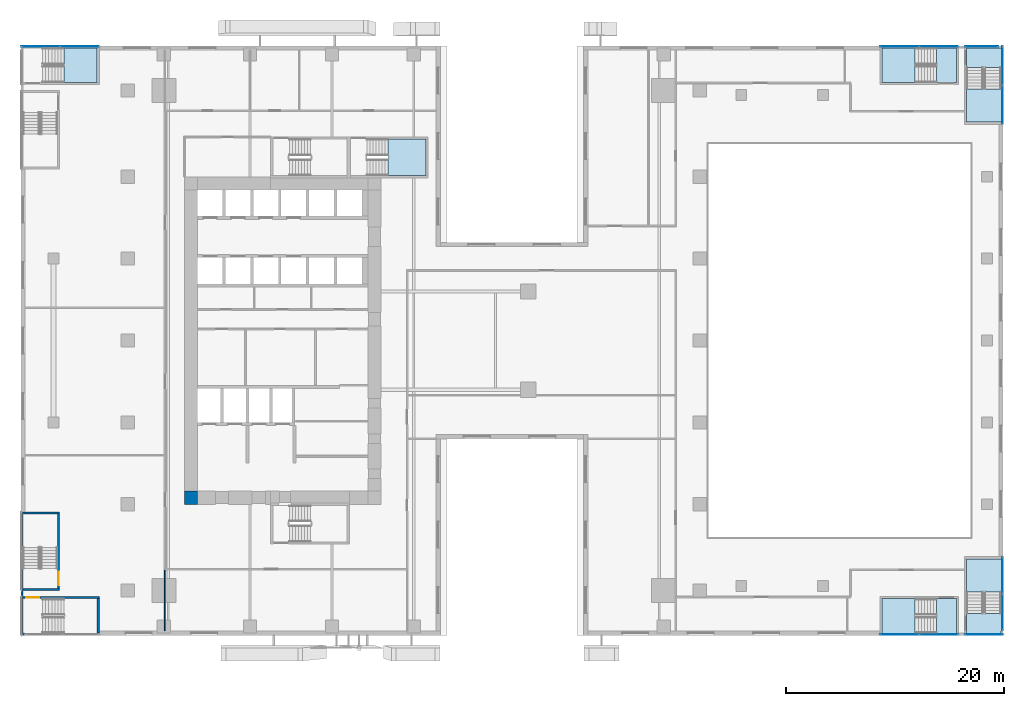
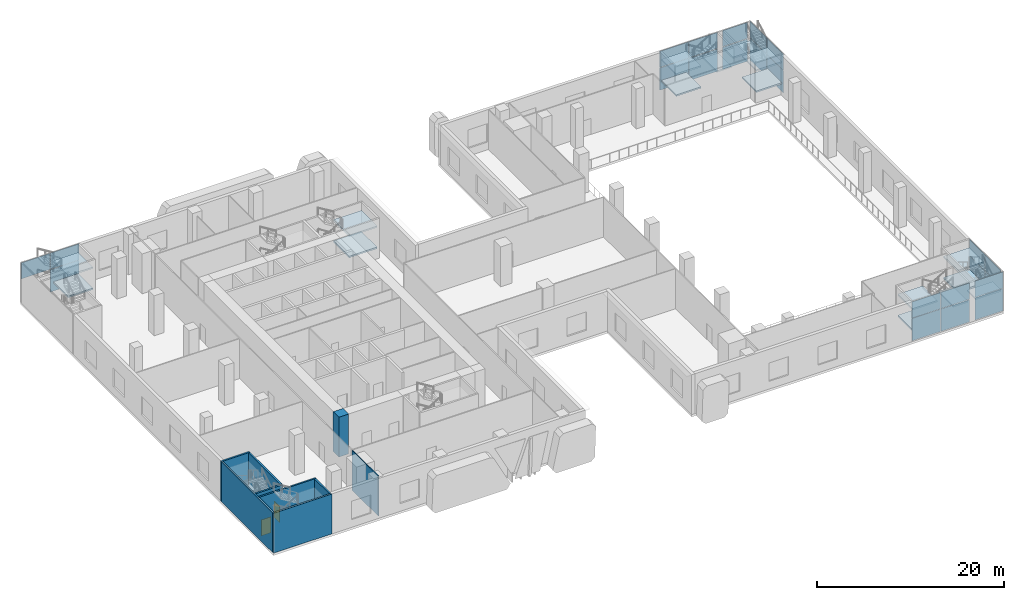
# One storey, part 9 of 23: 23 plates, 16 slabs, 9 walls, 2 doors, 2 openings, 13 elements without a shape of their own.
"""IFC4 building model written with IfcOpenShell, lengths in metres."""

from ifc_helpers import new_model, si_unit, direction, frame, frame_2d, origin, origin_2d, place, context, subcontext, project, spatial, polyline, rectangle, outline, extrude, source, transform, mapped, material, layer, layer_set, type_object, element, fill, aggregate, save


model = new_model("IFC4")

# Units and contexts
model_context = context("Model", 3, precision=1e-05, world=origin(), true_north=direction((0.0, 1.0)))
body_context = subcontext(model_context, "Body", "Model", "MODEL_VIEW")
ifc_project = project(units=[si_unit("LENGTHUNIT", "METRE"), si_unit("AREAUNIT", "SQUARE_METRE"), si_unit("VOLUMEUNIT", "CUBIC_METRE"), si_unit("PLANEANGLEUNIT", "RADIAN"), si_unit("MASSUNIT", "GRAM", prefix="KILO")], contexts=[model_context])

# Site, building, storey
site_placement = place(None, origin())
site = spatial("IfcSite", under=ifc_project, at=site_placement, CompositionType="ELEMENT")
building_placement = place(site_placement, origin())
building = spatial("IfcBuilding", under=site, at=building_placement, Name="Khomas Fold Tower", CompositionType="ELEMENT")
storey_placement = place(building_placement, frame((0.0, 0.0, 7.5)))
storey = spatial("IfcBuildingStorey", under=building, at=storey_placement, Name="L01", CompositionType="ELEMENT", Elevation=7.5)

# Curtain wall, plates
ifc_material_1 = material(Name="Aluminium framed double glazing", Category="aluminium")
curtain_wall_type = type_object("IfcCurtainWallType", Name="Shopfront glazing PD-CW", PredefinedType="NOTDEFINED", material=ifc_material_1)
curtain_wall_1_placement = place(storey_placement, origin())
curtain_wall_1 = element("IfcCurtainWall", 1, at=curtain_wall_1_placement, inside=storey, type_object=curtain_wall_type, Name="Podium stair-tower glazing", PredefinedType="NOTDEFINED")
ifc_material_2 = material(Name="Double glazed unit")
ifc_layer_1 = layer(ifc_material_2, 0.031982421875)
ifc_layer_set_1 = layer_set([ifc_layer_1], Name="Double glazed unit")
plate_type = type_object("IfcPlateType", Name="Shopfront glazing panel PD-CW-P", PredefinedType="CURTAIN_PANEL", material=ifc_layer_set_1)
shared_shape_1 = source(origin(), body_context, "Body", "SweptSolid", [
    extrude(rectangle(XDim=3.0400390625, YDim=0.031982421875, at=origin_2d()), origin(), (0.0, 0.0, 1.0), 2.909912109375),
])
plate_1_placement = place(storey_placement, frame((79.02001953125, 53.919921875, 0.06005859375), z_axis=(0.0, 0.0, 1.0), x_axis=(-1.0, 0.0, 0.0)))
plate_1 = element("IfcPlate", 2, at=plate_1_placement, type_object=plate_type, Name="PD-CW panel 1.1", PredefinedType="CURTAIN_PANEL", context=body_context, shape_type="MappedRepresentation", body=[
    mapped(shared_shape_1, transform((0.0, 0.0, 0.0))),
])
shared_shape_2 = source(origin(), body_context, "Body", "SweptSolid", [
    extrude(rectangle(XDim=3.0400390625, YDim=0.031982421875, at=origin_2d()), origin(), (0.0, 0.0, 1.0), 2.110107421875),
])
plate_2_placement = place(storey_placement, frame((79.02001953125, 53.919921875, 3.02978515625), z_axis=(0.0, 0.0, 1.0), x_axis=(-1.0, 0.0, 0.0)))
plate_2 = element("IfcPlate", 3, at=plate_2_placement, type_object=plate_type, Name="PD-CW panel 1.2", PredefinedType="CURTAIN_PANEL", context=body_context, shape_type="MappedRepresentation", body=[
    mapped(shared_shape_2, transform((0.0, 0.0, 0.0))),
])
aggregate(curtain_wall_1, [plate_1, plate_2])

curtain_wall_2_placement = place(storey_placement, origin())
curtain_wall_2 = element("IfcCurtainWall", 4, at=curtain_wall_2_placement, inside=storey, type_object=curtain_wall_type, Name="Podium stair-tower glazing", PredefinedType="NOTDEFINED")
shared_shape_3 = source(origin(), body_context, "Body", "SweptSolid", [
    extrude(rectangle(XDim=3.52001953125, YDim=0.031982421875, at=origin_2d()), origin(), (0.0, 0.0, 1.0), 2.909912109375),
])
plate_3_placement = place(storey_placement, frame((71.510009765625, 0.080078125, 0.06005859375), z_axis=(0.0, 0.0, 1.0), x_axis=(1.0, 0.0, 0.0)))
plate_3 = element("IfcPlate", 5, at=plate_3_placement, type_object=plate_type, Name="PD-CW panel 1.1", PredefinedType="CURTAIN_PANEL", context=body_context, shape_type="MappedRepresentation", body=[
    mapped(shared_shape_3, transform((0.0, 0.0, 0.0))),
])
plate_4_placement = place(storey_placement, frame((75.090087890625, 0.080078125, 0.06005859375), z_axis=(0.0, 0.0, 1.0), x_axis=(1.0, 0.0, 0.0)))
plate_4 = element("IfcPlate", 6, at=plate_4_placement, type_object=plate_type, Name="PD-CW panel 2.1", PredefinedType="CURTAIN_PANEL", context=body_context, shape_type="MappedRepresentation", body=[
    mapped(shared_shape_3, transform((0.0, 0.0, 0.0))),
])

curtain_wall_3_placement = place(storey_placement, origin())
curtain_wall_3 = element("IfcCurtainWall", 7, at=curtain_wall_3_placement, inside=storey, type_object=curtain_wall_type, Name="Podium stair-tower glazing", PredefinedType="NOTDEFINED")
plate_5_placement = place(storey_placement, frame((75.090087890625, 53.919921875, 0.06005859375), z_axis=(0.0, 0.0, 1.0), x_axis=(-1.0, 0.0, 0.0)))
plate_5 = element("IfcPlate", 8, at=plate_5_placement, type_object=plate_type, Name="PD-CW panel 1.1", PredefinedType="CURTAIN_PANEL", context=body_context, shape_type="MappedRepresentation", body=[
    mapped(shared_shape_3, transform((0.0, 0.0, 0.0))),
])
plate_6_placement = place(storey_placement, frame((71.510009765625, 53.919921875, 0.06005859375), z_axis=(0.0, 0.0, 1.0), x_axis=(-1.0, 0.0, 0.0)))
plate_6 = element("IfcPlate", 9, at=plate_6_placement, type_object=plate_type, Name="PD-CW panel 2.1", PredefinedType="CURTAIN_PANEL", context=body_context, shape_type="MappedRepresentation", body=[
    mapped(shared_shape_3, transform((0.0, 0.0, 0.0))),
])

# Plate
shared_shape_4 = source(origin(), body_context, "Body", "SweptSolid", [
    extrude(rectangle(XDim=3.52001953125, YDim=0.031982421875, at=origin_2d()), origin(), (0.0, 0.0, 1.0), 2.110107421875),
])
plate_7_placement = place(storey_placement, frame((71.510009765625, 0.080078125, 3.02978515625), z_axis=(0.0, 0.0, 1.0), x_axis=(1.0, 0.0, 0.0)))
plate_7 = element("IfcPlate", 10, at=plate_7_placement, type_object=plate_type, Name="PD-CW panel 1.2", PredefinedType="CURTAIN_PANEL", context=body_context, shape_type="MappedRepresentation", body=[
    mapped(shared_shape_4, transform((0.0, 0.0, 0.0))),
])

plate_8_placement = place(storey_placement, frame((75.090087890625, 0.080078125, 3.02978515625), z_axis=(0.0, 0.0, 1.0), x_axis=(1.0, 0.0, 0.0)))
plate_8 = element("IfcPlate", 11, at=plate_8_placement, type_object=plate_type, Name="PD-CW panel 2.2", PredefinedType="CURTAIN_PANEL", context=body_context, shape_type="MappedRepresentation", body=[
    mapped(shared_shape_4, transform((0.0, 0.0, 0.0))),
])

aggregate(curtain_wall_2, [plate_3, plate_7, plate_4, plate_8])

plate_9_placement = place(storey_placement, frame((75.090087890625, 53.919921875, 3.02978515625), z_axis=(0.0, 0.0, 1.0), x_axis=(-1.0, 0.0, 0.0)))
plate_9 = element("IfcPlate", 12, at=plate_9_placement, type_object=plate_type, Name="PD-CW panel 1.2", PredefinedType="CURTAIN_PANEL", context=body_context, shape_type="MappedRepresentation", body=[
    mapped(shared_shape_4, transform((0.0, 0.0, 0.0))),
])

plate_10_placement = place(storey_placement, frame((71.510009765625, 53.919921875, 3.02978515625), z_axis=(0.0, 0.0, 1.0), x_axis=(-1.0, 0.0, 0.0)))
plate_10 = element("IfcPlate", 13, at=plate_10_placement, type_object=plate_type, Name="PD-CW panel 2.2", PredefinedType="CURTAIN_PANEL", context=body_context, shape_type="MappedRepresentation", body=[
    mapped(shared_shape_4, transform((0.0, 0.0, 0.0))),
])

aggregate(curtain_wall_3, [plate_5, plate_9, plate_6, plate_10])

# Curtain wall, plates
curtain_wall_4_placement = place(storey_placement, origin())
curtain_wall_4 = element("IfcCurtainWall", 14, at=curtain_wall_4_placement, inside=storey, type_object=curtain_wall_type, Name="Podium stair-tower glazing", PredefinedType="NOTDEFINED")
shared_shape_5 = source(origin(), body_context, "Body", "SweptSolid", [
    extrude(rectangle(XDim=3.43994140625, YDim=0.031982421875, at=origin_2d()), origin(), (0.0, 0.0, 1.0), 2.909912109375),
])
plate_11_placement = place(storey_placement, frame((79.219970703125, 0.080078125, 0.06005859375), z_axis=(0.0, 0.0, 1.0), x_axis=(1.0, 0.0, 0.0)))
plate_11 = element("IfcPlate", 15, at=plate_11_placement, type_object=plate_type, Name="PD-CW panel 1.1", PredefinedType="CURTAIN_PANEL", context=body_context, shape_type="MappedRepresentation", body=[
    mapped(shared_shape_5, transform((0.0, 0.0, 0.0))),
])
shared_shape_6 = source(origin(), body_context, "Body", "SweptSolid", [
    extrude(rectangle(XDim=3.43994140625, YDim=0.031982421875, at=origin_2d()), origin(), (0.0, 0.0, 1.0), 2.110107421875),
])
plate_12_placement = place(storey_placement, frame((79.219970703125, 0.080078125, 3.02978515625), z_axis=(0.0, 0.0, 1.0), x_axis=(1.0, 0.0, 0.0)))
plate_12 = element("IfcPlate", 16, at=plate_12_placement, type_object=plate_type, Name="PD-CW panel 1.2", PredefinedType="CURTAIN_PANEL", context=body_context, shape_type="MappedRepresentation", body=[
    mapped(shared_shape_6, transform((0.0, 0.0, 0.0))),
])
aggregate(curtain_wall_4, [plate_11, plate_12])

curtain_wall_5_placement = place(storey_placement, origin())
curtain_wall_5 = element("IfcCurtainWall", 17, at=curtain_wall_5_placement, inside=storey, type_object=curtain_wall_type, Name="Podium stair-tower glazing", PredefinedType="NOTDEFINED")
shared_shape_7 = source(origin(), body_context, "Body", "SweptSolid", [
    extrude(rectangle(XDim=3.31494140625, YDim=0.031982421875, at=origin_2d()), origin(), (0.0, 0.0, 1.0), 2.909912109375),
])
plate_13_placement = place(storey_placement, frame((80.919921875, 2.117431640625, 0.06005859375), z_axis=(0.0, 0.0, 1.0), x_axis=(0.0, 1.0, 0.0)))
plate_13 = element("IfcPlate", 18, at=plate_13_placement, type_object=plate_type, Name="PD-CW panel 1.1", PredefinedType="CURTAIN_PANEL", context=body_context, shape_type="MappedRepresentation", body=[
    mapped(shared_shape_7, transform((0.0, 0.0, 0.0))),
])
plate_14_placement = place(storey_placement, frame((80.919921875, 5.492431640625, 0.06005859375), z_axis=(0.0, 0.0, 1.0), x_axis=(0.0, 1.0, 0.0)))
plate_14 = element("IfcPlate", 19, at=plate_14_placement, type_object=plate_type, Name="PD-CW panel 2.1", PredefinedType="CURTAIN_PANEL", context=body_context, shape_type="MappedRepresentation", body=[
    mapped(shared_shape_7, transform((0.0, 0.0, 0.0))),
])
shared_shape_8 = source(origin(), body_context, "Body", "SweptSolid", [
    extrude(rectangle(XDim=3.31494140625, YDim=0.031982421875, at=origin_2d()), origin(), (0.0, 0.0, 1.0), 2.110107421875),
])
plate_15_placement = place(storey_placement, frame((80.919921875, 2.117431640625, 3.02978515625), z_axis=(0.0, 0.0, 1.0), x_axis=(0.0, 1.0, 0.0)))
plate_15 = element("IfcPlate", 20, at=plate_15_placement, type_object=plate_type, Name="PD-CW panel 1.2", PredefinedType="CURTAIN_PANEL", context=body_context, shape_type="MappedRepresentation", body=[
    mapped(shared_shape_8, transform((0.0, 0.0, 0.0))),
])
plate_16_placement = place(storey_placement, frame((80.919921875, 5.492431640625, 3.02978515625), z_axis=(0.0, 0.0, 1.0), x_axis=(0.0, 1.0, 0.0)))
plate_16 = element("IfcPlate", 21, at=plate_16_placement, type_object=plate_type, Name="PD-CW panel 2.2", PredefinedType="CURTAIN_PANEL", context=body_context, shape_type="MappedRepresentation", body=[
    mapped(shared_shape_8, transform((0.0, 0.0, 0.0))),
])
aggregate(curtain_wall_5, [plate_13, plate_15, plate_14, plate_16])

curtain_wall_6_placement = place(storey_placement, origin())
curtain_wall_6 = element("IfcCurtainWall", 22, at=curtain_wall_6_placement, inside=storey, type_object=curtain_wall_type, Name="Podium stair-tower glazing", PredefinedType="NOTDEFINED")
shared_shape_9 = source(origin(), body_context, "Body", "SweptSolid", [
    extrude(rectangle(XDim=3.514892578125, YDim=0.031982421875, at=origin_2d()), origin(), (0.0, 0.0, 1.0), 2.909912109375),
])
plate_17_placement = place(storey_placement, frame((80.919921875, 48.607421875, 0.06005859375), z_axis=(0.0, 0.0, 1.0), x_axis=(0.0, 1.0, 0.0)))
plate_17 = element("IfcPlate", 23, at=plate_17_placement, type_object=plate_type, Name="PD-CW panel 1.1", PredefinedType="CURTAIN_PANEL", context=body_context, shape_type="MappedRepresentation", body=[
    mapped(shared_shape_9, transform((0.0, 0.0, 0.0))),
])
plate_18_placement = place(storey_placement, frame((80.919921875, 52.1826171875, 0.06005859375), z_axis=(0.0, 0.0, 1.0), x_axis=(0.0, 1.0, 0.0)))
plate_18 = element("IfcPlate", 24, at=plate_18_placement, type_object=plate_type, Name="PD-CW panel 2.1", PredefinedType="CURTAIN_PANEL", context=body_context, shape_type="MappedRepresentation", body=[
    mapped(shared_shape_9, transform((0.0, 0.0, 0.0))),
])

# Curtain wall, plate
curtain_wall_7_placement = place(storey_placement, origin())
curtain_wall_7 = element("IfcCurtainWall", 25, at=curtain_wall_7_placement, inside=storey, type_object=curtain_wall_type, Name="Podium stair-tower glazing", PredefinedType="NOTDEFINED")
plate_19_placement = place(storey_placement, frame((-3.607421875, 53.919921875, 0.06005859375), z_axis=(0.0, 0.0, 1.0), x_axis=(-1.0, 0.0, 0.0)))
plate_19 = element("IfcPlate", 26, at=plate_19_placement, type_object=plate_type, Name="PD-CW panel 1.1", PredefinedType="CURTAIN_PANEL", context=body_context, shape_type="MappedRepresentation", body=[
    mapped(shared_shape_9, transform((0.0, 0.0, 0.0))),
])

# Plate
shared_shape_10 = source(origin(), body_context, "Body", "SweptSolid", [
    extrude(rectangle(XDim=3.514892578125, YDim=0.031982421875, at=origin_2d()), origin(), (0.0, 0.0, 1.0), 2.110107421875),
])
plate_20_placement = place(storey_placement, frame((80.919921875, 48.607421875, 3.02978515625), z_axis=(0.0, 0.0, 1.0), x_axis=(0.0, 1.0, 0.0)))
plate_20 = element("IfcPlate", 27, at=plate_20_placement, type_object=plate_type, Name="PD-CW panel 1.2", PredefinedType="CURTAIN_PANEL", context=body_context, shape_type="MappedRepresentation", body=[
    mapped(shared_shape_10, transform((0.0, 0.0, 0.0))),
])

plate_21_placement = place(storey_placement, frame((80.919921875, 52.1826171875, 3.02978515625), z_axis=(0.0, 0.0, 1.0), x_axis=(0.0, 1.0, 0.0)))
plate_21 = element("IfcPlate", 28, at=plate_21_placement, type_object=plate_type, Name="PD-CW panel 2.2", PredefinedType="CURTAIN_PANEL", context=body_context, shape_type="MappedRepresentation", body=[
    mapped(shared_shape_10, transform((0.0, 0.0, 0.0))),
])

aggregate(curtain_wall_6, [plate_17, plate_20, plate_18, plate_21])

plate_22_placement = place(storey_placement, frame((-3.607421875, 53.919921875, 3.02978515625), z_axis=(0.0, 0.0, 1.0), x_axis=(-1.0, 0.0, 0.0)))
plate_22 = element("IfcPlate", 29, at=plate_22_placement, type_object=plate_type, Name="PD-CW panel 1.2", PredefinedType="CURTAIN_PANEL", context=body_context, shape_type="MappedRepresentation", body=[
    mapped(shared_shape_10, transform((0.0, 0.0, 0.0))),
])

plate_23_placement = place(storey_placement, frame((-7.1826171875, 53.919921875, 3.02978515625), z_axis=(0.0, 0.0, 1.0), x_axis=(-1.0, 0.0, 0.0)))
plate_23 = element("IfcPlate", 30, at=plate_23_placement, type_object=plate_type, Name="PD-CW panel 2.2", PredefinedType="CURTAIN_PANEL", context=body_context, shape_type="MappedRepresentation", body=[
    mapped(shared_shape_10, transform((0.0, 0.0, 0.0))),
])

aggregate(curtain_wall_7, [plate_19, plate_22, plate_23])

# Stair, slabs
ifc_material_3 = material(Name="Concrete C40/50", Category="concrete")
stair_type_1 = type_object("IfcStairType", Name="Stair ST3", PredefinedType="HALF_TURN_STAIR", material=ifc_material_3)
stair_1_placement = place(storey_placement, origin())
stair_1 = element("IfcStair", 31, at=stair_1_placement, inside=storey, type_object=stair_type_1, Name="L01 ST3", PredefinedType="HALF_TURN_STAIR")
ifc_material_4 = material(Name="Concrete C40/50", Category="concrete")
ifc_layer_2 = layer(ifc_material_4, 0.199951171875)
ifc_layer_set_2 = layer_set([ifc_layer_2], Name="Concrete C40/50")
slab_type = type_object("IfcSlabType", Name="Stair landing 200", PredefinedType="LANDING", material=ifc_layer_set_2)
shared_shape_11 = source(origin(), body_context, "Body", "SweptSolid", [
    extrude(outline(polyline([(24.659912109375, 42.10009765625), (28.10009765625, 42.10009765625), (28.10009765625, 45.449951171875), (24.659912109375, 45.449951171875), (24.659912109375, 42.10009765625)])), origin(), (0.0, 0.0, 1.0), 0.199951171875),
])
slab_1_placement = place(storey_placement, frame((0.0, 0.0, 1.175048828125)))
slab_1 = element("IfcSlab", 32, at=slab_1_placement, type_object=slab_type, Name="ST3 landing 1", PredefinedType="LANDING", context=body_context, shape_type="MappedRepresentation", body=[
    mapped(shared_shape_11, transform((0.0, 0.0, 0.0))),
])
slab_2_placement = place(storey_placement, frame((0.0, 0.0, 3.925048828125)))
slab_2 = element("IfcSlab", 33, at=slab_2_placement, type_object=slab_type, Name="ST3 landing 3", PredefinedType="LANDING", context=body_context, shape_type="MappedRepresentation", body=[
    mapped(shared_shape_11, transform((0.0, 0.0, 0.0))),
])
aggregate(stair_1, [slab_1, slab_2])

ifc_material_5 = material(Name="Concrete C40/50", Category="concrete")
stair_type_2 = type_object("IfcStairType", Name="Stair PS3", PredefinedType="HALF_TURN_STAIR", material=ifc_material_5)
stair_2_placement = place(storey_placement, origin())
stair_2 = element("IfcStair", 34, at=stair_2_placement, inside=storey, type_object=stair_type_2, Name="L01 PS3", PredefinedType="HALF_TURN_STAIR")
shared_shape_12 = source(origin(), body_context, "Body", "SweptSolid", [
    extrude(outline(polyline([(76.699951171875, 3.35009765625), (74.89990234375, 3.35009765625), (74.89990234375, 0.199951171875), (76.699951171875, 0.199951171875), (76.699951171875, 3.35009765625)])), origin(), (0.0, 0.0, 1.0), 0.199951171875),
])
slab_3_placement = place(storey_placement, frame((0.0, 0.0, 2.550048828125)))
slab_3 = element("IfcSlab", 35, at=slab_3_placement, type_object=slab_type, Name="PS3 landing 2", PredefinedType="LANDING", context=body_context, shape_type="MappedRepresentation", body=[
    mapped(shared_shape_12, transform((0.0, 0.0, 0.0))),
])
shared_shape_13 = source(origin(), body_context, "Body", "SweptSolid", [
    extrude(outline(polyline([(72.93994140625, 3.35009765625), (69.89990234375, 3.35009765625), (69.89990234375, 0.199951171875), (72.93994140625, 0.199951171875), (72.93994140625, 3.35009765625)])), origin(), (0.0, 0.0, 1.0), 0.199951171875),
])
slab_4_placement = place(storey_placement, frame((0.0, 0.0, 1.175048828125)))
slab_4 = element("IfcSlab", 36, at=slab_4_placement, type_object=slab_type, Name="PS3 landing 1", PredefinedType="LANDING", context=body_context, shape_type="MappedRepresentation", body=[
    mapped(shared_shape_13, transform((0.0, 0.0, 0.0))),
])
slab_5_placement = place(storey_placement, frame((0.0, 0.0, 3.925048828125)))
slab_5 = element("IfcSlab", 37, at=slab_5_placement, type_object=slab_type, Name="PS3 landing 3", PredefinedType="LANDING", context=body_context, shape_type="MappedRepresentation", body=[
    mapped(shared_shape_13, transform((0.0, 0.0, 0.0))),
])
aggregate(stair_2, [slab_4, slab_3, slab_5])

ifc_material_6 = material(Name="Concrete C40/50", Category="concrete")
stair_type_3 = type_object("IfcStairType", Name="Stair PS4", PredefinedType="HALF_TURN_STAIR", material=ifc_material_6)
stair_3_placement = place(storey_placement, origin())
stair_3 = element("IfcStair", 38, at=stair_3_placement, inside=storey, type_object=stair_type_3, Name="L01 PS4", PredefinedType="HALF_TURN_STAIR")
shared_shape_14 = source(origin(), body_context, "Body", "SweptSolid", [
    extrude(outline(polyline([(80.800048828125, 0.199951171875), (80.800048828125, 2.0), (77.64990234375, 2.0), (77.64990234375, 0.199951171875), (80.800048828125, 0.199951171875)])), origin(), (0.0, 0.0, 1.0), 0.199951171875),
])
slab_6_placement = place(storey_placement, frame((0.0, 0.0, 2.550048828125)))
slab_6 = element("IfcSlab", 39, at=slab_6_placement, type_object=slab_type, Name="PS4 landing 2", PredefinedType="LANDING", context=body_context, shape_type="MappedRepresentation", body=[
    mapped(shared_shape_14, transform((0.0, 0.0, 0.0))),
])
shared_shape_15 = source(origin(), body_context, "Body", "SweptSolid", [
    extrude(outline(polyline([(80.800048828125, 3.9599609375), (80.800048828125, 7.0), (77.64990234375, 7.0), (77.64990234375, 3.9599609375), (80.800048828125, 3.9599609375)])), origin(), (0.0, 0.0, 1.0), 0.199951171875),
])
slab_7_placement = place(storey_placement, frame((0.0, 0.0, 1.175048828125)))
slab_7 = element("IfcSlab", 40, at=slab_7_placement, type_object=slab_type, Name="PS4 landing 1", PredefinedType="LANDING", context=body_context, shape_type="MappedRepresentation", body=[
    mapped(shared_shape_15, transform((0.0, 0.0, 0.0))),
])
slab_8_placement = place(storey_placement, frame((0.0, 0.0, 3.925048828125)))
slab_8 = element("IfcSlab", 41, at=slab_8_placement, type_object=slab_type, Name="PS4 landing 3", PredefinedType="LANDING", context=body_context, shape_type="MappedRepresentation", body=[
    mapped(shared_shape_15, transform((0.0, 0.0, 0.0))),
])
aggregate(stair_3, [slab_7, slab_6, slab_8])

ifc_material_7 = material(Name="Concrete C40/50", Category="concrete")
stair_type_4 = type_object("IfcStairType", Name="Stair PS5", PredefinedType="HALF_TURN_STAIR", material=ifc_material_7)
stair_4_placement = place(storey_placement, origin())
stair_4 = element("IfcStair", 42, at=stair_4_placement, inside=storey, type_object=stair_type_4, Name="L01 PS5", PredefinedType="HALF_TURN_STAIR")
shared_shape_16 = source(origin(), body_context, "Body", "SweptSolid", [
    extrude(outline(polyline([(76.699951171875, 53.800048828125), (74.89990234375, 53.800048828125), (74.89990234375, 50.64990234375), (76.699951171875, 50.64990234375), (76.699951171875, 53.800048828125)])), origin(), (0.0, 0.0, 1.0), 0.199951171875),
])
slab_9_placement = place(storey_placement, frame((0.0, 0.0, 2.550048828125)))
slab_9 = element("IfcSlab", 43, at=slab_9_placement, type_object=slab_type, Name="PS5 landing 2", PredefinedType="LANDING", context=body_context, shape_type="MappedRepresentation", body=[
    mapped(shared_shape_16, transform((0.0, 0.0, 0.0))),
])
shared_shape_17 = source(origin(), body_context, "Body", "SweptSolid", [
    extrude(outline(polyline([(72.93994140625, 53.800048828125), (69.89990234375, 53.800048828125), (69.89990234375, 50.64990234375), (72.93994140625, 50.64990234375), (72.93994140625, 53.800048828125)])), origin(), (0.0, 0.0, 1.0), 0.199951171875),
])
slab_10_placement = place(storey_placement, frame((0.0, 0.0, 1.175048828125)))
slab_10 = element("IfcSlab", 44, at=slab_10_placement, type_object=slab_type, Name="PS5 landing 1", PredefinedType="LANDING", context=body_context, shape_type="MappedRepresentation", body=[
    mapped(shared_shape_17, transform((0.0, 0.0, 0.0))),
])
slab_11_placement = place(storey_placement, frame((0.0, 0.0, 3.925048828125)))
slab_11 = element("IfcSlab", 45, at=slab_11_placement, type_object=slab_type, Name="PS5 landing 3", PredefinedType="LANDING", context=body_context, shape_type="MappedRepresentation", body=[
    mapped(shared_shape_17, transform((0.0, 0.0, 0.0))),
])
aggregate(stair_4, [slab_10, slab_9, slab_11])

ifc_material_8 = material(Name="Concrete C40/50", Category="concrete")
stair_type_5 = type_object("IfcStairType", Name="Stair PS6", PredefinedType="HALF_TURN_STAIR", material=ifc_material_8)
stair_5_placement = place(storey_placement, origin())
stair_5 = element("IfcStair", 46, at=stair_5_placement, inside=storey, type_object=stair_type_5, Name="L01 PS6", PredefinedType="HALF_TURN_STAIR")
shared_shape_18 = source(origin(), body_context, "Body", "SweptSolid", [
    extrude(outline(polyline([(77.64990234375, 53.800048828125), (77.64990234375, 52.0), (80.800048828125, 52.0), (80.800048828125, 53.800048828125), (77.64990234375, 53.800048828125)])), origin(), (0.0, 0.0, 1.0), 0.199951171875),
])
slab_12_placement = place(storey_placement, frame((0.0, 0.0, 2.550048828125)))
slab_12 = element("IfcSlab", 47, at=slab_12_placement, type_object=slab_type, Name="PS6 landing 2", PredefinedType="LANDING", context=body_context, shape_type="MappedRepresentation", body=[
    mapped(shared_shape_18, transform((0.0, 0.0, 0.0))),
])
shared_shape_19 = source(origin(), body_context, "Body", "SweptSolid", [
    extrude(outline(polyline([(77.64990234375, 50.0400390625), (77.64990234375, 47.0), (80.800048828125, 47.0), (80.800048828125, 50.0400390625), (77.64990234375, 50.0400390625)])), origin(), (0.0, 0.0, 1.0), 0.199951171875),
])
slab_13_placement = place(storey_placement, frame((0.0, 0.0, 1.175048828125)))
slab_13 = element("IfcSlab", 48, at=slab_13_placement, type_object=slab_type, Name="PS6 landing 1", PredefinedType="LANDING", context=body_context, shape_type="MappedRepresentation", body=[
    mapped(shared_shape_19, transform((0.0, 0.0, 0.0))),
])
slab_14_placement = place(storey_placement, frame((0.0, 0.0, 3.925048828125)))
slab_14 = element("IfcSlab", 49, at=slab_14_placement, type_object=slab_type, Name="PS6 landing 3", PredefinedType="LANDING", context=body_context, shape_type="MappedRepresentation", body=[
    mapped(shared_shape_19, transform((0.0, 0.0, 0.0))),
])
aggregate(stair_5, [slab_13, slab_12, slab_14])

ifc_material_9 = material(Name="Concrete C40/50", Category="concrete")
stair_type_6 = type_object("IfcStairType", Name="Stair PS7", PredefinedType="HALF_TURN_STAIR", material=ifc_material_9)
stair_6_placement = place(storey_placement, origin())
stair_6 = element("IfcStair", 50, at=stair_6_placement, inside=storey, type_object=stair_type_6, Name="L01 PS7", PredefinedType="HALF_TURN_STAIR")
shared_shape_20 = source(origin(), body_context, "Body", "SweptSolid", [
    extrude(outline(polyline([(-5.0400390625, 50.64990234375), (-2.0, 50.64990234375), (-2.0, 53.800048828125), (-5.0400390625, 53.800048828125), (-5.0400390625, 50.64990234375)])), origin(), (0.0, 0.0, 1.0), 0.199951171875),
])
slab_15_placement = place(storey_placement, frame((0.0, 0.0, 1.175048828125)))
slab_15 = element("IfcSlab", 51, at=slab_15_placement, type_object=slab_type, Name="PS7 landing 1", PredefinedType="LANDING", context=body_context, shape_type="MappedRepresentation", body=[
    mapped(shared_shape_20, transform((0.0, 0.0, 0.0))),
])
slab_16_placement = place(storey_placement, frame((0.0, 0.0, 3.925048828125)))
slab_16 = element("IfcSlab", 52, at=slab_16_placement, type_object=slab_type, Name="PS7 landing 3", PredefinedType="LANDING", context=body_context, shape_type="MappedRepresentation", body=[
    mapped(shared_shape_20, transform((0.0, 0.0, 0.0))),
])
aggregate(stair_6, [slab_15, slab_16])

# Wall
ifc_material_10 = material(Name="Concrete C70/85", Category="concrete")
ifc_layer_3 = layer(ifc_material_10, 1.199951171875)
ifc_layer_set_3 = layer_set([ifc_layer_3], Name="Concrete C70/85")
wall_type_1 = type_object("IfcWallType", Name="Core corner wall 1200", PredefinedType="SHEAR", material=ifc_layer_set_3)
shared_shape_21 = source(origin(), body_context, "Body", "SweptSolid", [
    extrude(rectangle(XDim=1.199951171875, YDim=1.199951171875, at=frame_2d((0.60009765625, 0.0))), origin(), (0.0, 0.0, 1.0), 5.199951171875),
])
wall_1_placement = place(storey_placement, frame((6.0, 12.60009765625, 0.0), z_axis=(0.0, 0.0, 1.0), x_axis=(1.0, 0.0, 0.0)))
element("IfcWall", 53, at=wall_1_placement, inside=storey, type_object=wall_type_1, Name="Core wall CW-L-SW-B2", PredefinedType="SHEAR", context=body_context, shape_type="MappedRepresentation", body=[
    mapped(shared_shape_21, transform((0.0, 0.0, 0.0))),
])

# Wall, opening, door
ifc_material_11 = material(Name="Concrete C30/37", Category="concrete")
ifc_layer_4 = layer(ifc_material_11, 0.199951171875)
ifc_layer_set_4 = layer_set([ifc_layer_4], Name="Concrete C30/37")
wall_type_2 = type_object("IfcWallType", Name="Stair wall PW5 200", PredefinedType="PARTITIONING", material=ifc_layer_set_4)
shared_shape_22 = source(origin(), body_context, "Body", "SweptSolid", [
    extrude(rectangle(XDim=7.0, YDim=0.199951171875, at=frame_2d((3.5, 0.0))), origin(), (0.0, 0.0, 1.0), 5.199951171875),
])
wall_2_placement = place(storey_placement, frame((-8.800048828125, 3.449951171875, 0.0), z_axis=(0.0, 0.0, 1.0), x_axis=(1.0, 0.0, 0.0)))
wall_2 = element("IfcWall", 54, at=wall_2_placement, inside=storey, type_object=wall_type_2, Name="Stair wall", PredefinedType="PARTITIONING", context=body_context, shape_type="MappedRepresentation", body=[
    mapped(shared_shape_22, transform((0.0, 0.0, 0.0))),
])
shared_shape_23 = source(origin(), body_context, "Body", "SweptSolid", [
    extrude(rectangle(XDim=1.199951171875, YDim=2.10009765625, at=frame_2d((0.60009765625, 1.050048828125))), frame((0.0, 0.10986328125, 0.0), z_axis=(0.0, -1.0, 0.0), x_axis=(1.0, 0.0, 0.0)), (0.0, 0.0, 1.0), 0.219970703125),
])
opening_1_placement = place(wall_2_placement, frame((0.300048828125, 0.0, 0.0)))
opening_1 = element("IfcOpeningElement", 55, at=opening_1_placement, cuts=wall_2, Name="Opening 0017", PredefinedType="OPENING", context=body_context, shape_type="MappedRepresentation", body=[
    mapped(shared_shape_23, transform((0.0, 0.0, 0.0))),
])
ifc_material_12 = material(Name="Steel door leaf", Category="steel")
door_type = type_object("IfcDoorType", Name="Stair door 1200x2100 left-hand", OperationType="SINGLE_SWING_LEFT", PredefinedType="DOOR", material=ifc_material_12)
shared_shape_24 = source(origin(), body_context, "Body", "SweptSolid", [
    extrude(rectangle(XDim=1.199951171875, YDim=2.10009765625, at=frame_2d((0.60009765625, 1.050048828125))), frame((0.0, 0.02490234375, 0.0), z_axis=(0.0, -1.0, 0.0), x_axis=(1.0, 0.0, 0.0)), (0.0, 0.0, 1.0), 0.050048828125),
])
door_1_placement = place(opening_1_placement, origin())
door_1 = element("IfcDoor", 56, at=door_1_placement, inside=storey, type_object=door_type, Name="Stair door", OperationType="SINGLE_SWING_LEFT", OverallHeight=2.10009765625, OverallWidth=1.199951171875, PredefinedType="DOOR", context=body_context, shape_type="MappedRepresentation", body=[
    mapped(shared_shape_24, transform((0.0, 0.0, 0.0))),
])
fill(opening_1, door_1)

# Walls
shared_shape_25 = source(origin(), body_context, "Body", "SweptSolid", [
    extrude(rectangle(XDim=7.199951171875, YDim=0.199951171875, at=frame_2d((3.60009765625, 0.0))), origin(), (0.0, 0.0, 1.0), 5.199951171875),
])
wall_3_placement = place(storey_placement, frame((-9.0, 0.10009765625, 0.0), z_axis=(0.0, 0.0, 1.0), x_axis=(1.0, 0.0, 0.0)))
element("IfcWall", 57, at=wall_3_placement, inside=storey, type_object=wall_type_2, Name="Stair wall", PredefinedType="PARTITIONING", context=body_context, shape_type="MappedRepresentation", body=[
    mapped(shared_shape_25, transform((0.0, 0.0, 0.0))),
])
shared_shape_26 = source(origin(), body_context, "Body", "SweptSolid", [
    extrude(rectangle(XDim=10.900146484375, YDim=0.199951171875, at=frame_2d((5.4501953125, 0.0))), origin(), (0.0, 0.0, 1.0), 5.199951171875),
])
wall_4_placement = place(storey_placement, frame((-8.89990234375, 0.199951171875, 0.0), z_axis=(0.0, 0.0, 1.0), x_axis=(0.0, 1.0, 0.0)))
element("IfcWall", 58, at=wall_4_placement, inside=storey, type_object=wall_type_2, Name="Stair wall", PredefinedType="PARTITIONING", context=body_context, shape_type="MappedRepresentation", body=[
    mapped(shared_shape_26, transform((0.0, 0.0, 0.0))),
])
shared_shape_27 = source(origin(), body_context, "Body", "SweptSolid", [
    extrude(rectangle(XDim=3.150146484375, YDim=0.199951171875, at=frame_2d((1.5751953125, 0.0))), origin(), (0.0, 0.0, 1.0), 5.199951171875),
])
wall_5_placement = place(storey_placement, frame((-1.89990234375, 0.199951171875, 0.0), z_axis=(0.0, 0.0, 1.0), x_axis=(0.0, 1.0, 0.0)))
element("IfcWall", 59, at=wall_5_placement, inside=storey, type_object=wall_type_2, Name="Stair wall", PredefinedType="PARTITIONING", context=body_context, shape_type="MappedRepresentation", body=[
    mapped(shared_shape_27, transform((0.0, 0.0, 0.0))),
])
shared_shape_28 = source(origin(), body_context, "Body", "SweptSolid", [
    extrude(rectangle(XDim=3.35009765625, YDim=0.199951171875, at=frame_2d((1.675048828125, 0.0))), origin(), (0.0, 0.0, 1.0), 5.199951171875),
])
wall_6_placement = place(storey_placement, frame((-8.800048828125, 4.199951171875, 0.0), z_axis=(0.0, 0.0, 1.0), x_axis=(1.0, 0.0, 0.0)))
element("IfcWall", 60, at=wall_6_placement, inside=storey, type_object=wall_type_2, Name="Stair wall", PredefinedType="PARTITIONING", context=body_context, shape_type="MappedRepresentation", body=[
    mapped(shared_shape_28, transform((0.0, 0.0, 0.0))),
])
shared_shape_29 = source(origin(), body_context, "Body", "SweptSolid", [
    extrude(rectangle(XDim=3.550048828125, YDim=0.199951171875, at=frame_2d((1.77490234375, 0.0))), origin(), (0.0, 0.0, 1.0), 5.199951171875),
])
wall_7_placement = place(storey_placement, frame((-9.0, 11.199951171875, 0.0), z_axis=(0.0, 0.0, 1.0), x_axis=(1.0, 0.0, 0.0)))
element("IfcWall", 61, at=wall_7_placement, inside=storey, type_object=wall_type_2, Name="Stair wall", PredefinedType="PARTITIONING", context=body_context, shape_type="MappedRepresentation", body=[
    mapped(shared_shape_29, transform((0.0, 0.0, 0.0))),
])

# Wall, opening, door
shared_shape_30 = source(origin(), body_context, "Body", "SweptSolid", [
    extrude(rectangle(XDim=6.800048828125, YDim=0.199951171875, at=frame_2d((3.39990234375, 0.0))), origin(), (0.0, 0.0, 1.0), 5.199951171875),
])
wall_8_placement = place(storey_placement, frame((-5.550048828125, 4.300048828125, 0.0), z_axis=(0.0, 0.0, 1.0), x_axis=(0.0, 1.0, 0.0)))
wall_8 = element("IfcWall", 62, at=wall_8_placement, inside=storey, type_object=wall_type_2, Name="Stair wall", PredefinedType="PARTITIONING", context=body_context, shape_type="MappedRepresentation", body=[
    mapped(shared_shape_30, transform((0.0, 0.0, 0.0))),
])
opening_2_placement = place(wall_8_placement, frame((0.300048828125, 0.0, 0.0)))
opening_2 = element("IfcOpeningElement", 63, at=opening_2_placement, cuts=wall_8, Name="Opening 0017", PredefinedType="OPENING", context=body_context, shape_type="MappedRepresentation", body=[
    mapped(shared_shape_23, transform((0.0, 0.0, 0.0))),
])
door_2_placement = place(opening_2_placement, origin())
door_2 = element("IfcDoor", 64, at=door_2_placement, inside=storey, type_object=door_type, Name="Stair door", OperationType="SINGLE_SWING_LEFT", OverallHeight=2.10009765625, OverallWidth=1.199951171875, PredefinedType="DOOR", context=body_context, shape_type="MappedRepresentation", body=[
    mapped(shared_shape_24, transform((0.0, 0.0, 0.0))),
])
fill(opening_2, door_2)

# Wall
ifc_material_13 = material(Name="Plasterboard partition")
ifc_layer_5 = layer(ifc_material_13, 0.10009765625)
ifc_layer_set_5 = layer_set([ifc_layer_5], Name="Plasterboard partition")
wall_type_3 = type_object("IfcWallType", Name="Partition PW1 100", PredefinedType="PARTITIONING", material=ifc_layer_set_5)
shared_shape_31 = source(origin(), body_context, "Body", "SweptSolid", [
    extrude(rectangle(XDim=5.550048828125, YDim=0.10009765625, at=frame_2d((2.77490234375, 0.0))), origin(), (0.0, 0.0, 1.0), 5.199951171875),
])
wall_9_placement = place(storey_placement, frame((4.199951171875, 0.39990234375, 0.0), z_axis=(0.0, 0.0, 1.0), x_axis=(0.0, 1.0, 0.0)))
element("IfcWall", 65, at=wall_9_placement, inside=storey, type_object=wall_type_3, Name="Partition", PredefinedType="PARTITIONING", context=body_context, shape_type="MappedRepresentation", body=[
    mapped(shared_shape_31, transform((0.0, 0.0, 0.0))),
])

save(model, "model.ifc")
